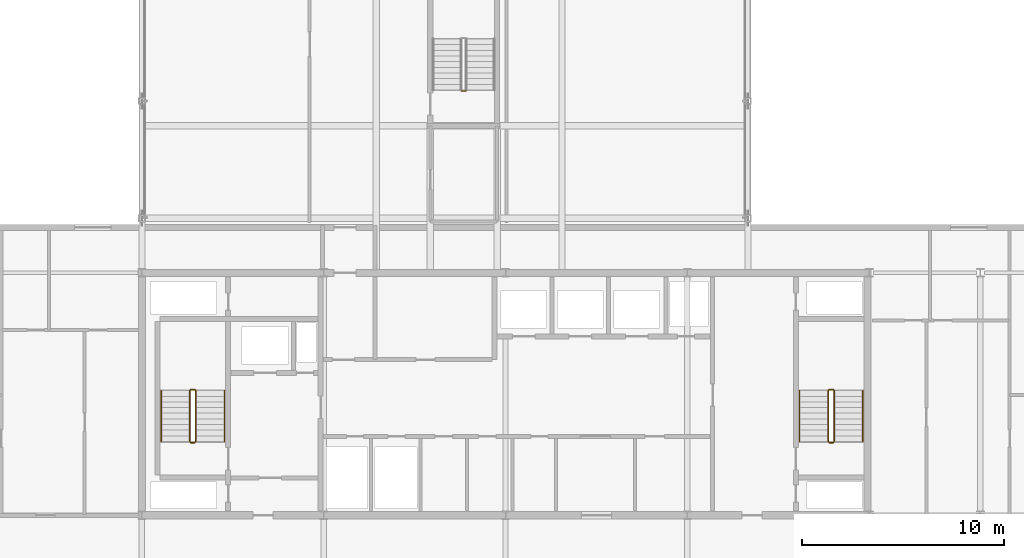
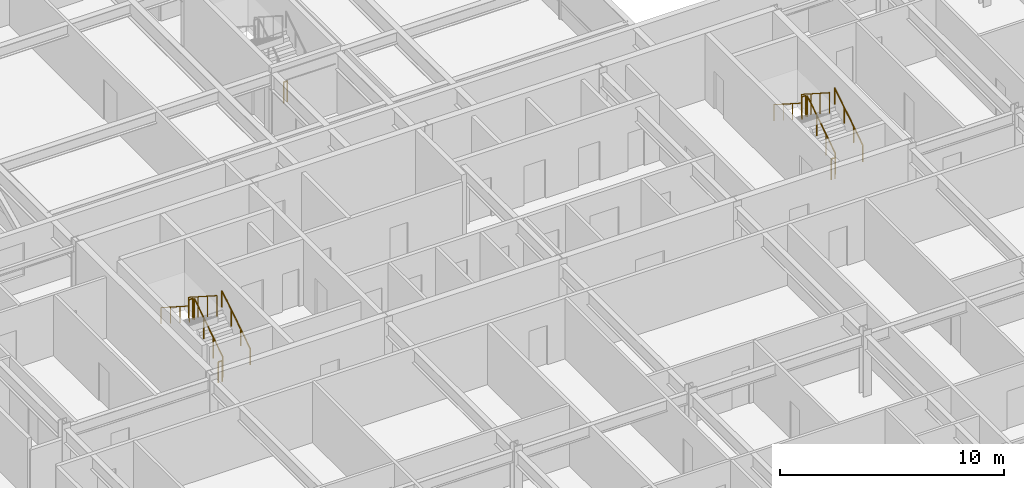
# One storey, part 32 of 36: 13 railings.
"""IFC4 building model written with IfcOpenShell, lengths in metres."""

from ifc_helpers import new_model, si_unit, direction, frame, origin, origin_2d, place, context, subcontext, project, spatial, circle, extrude, material, type_object, element, save


model = new_model("IFC4")

# Units and contexts
model_context = context("Model", 3, precision=1e-05, world=origin(), true_north=direction((0.0, 1.0)))
body_context = subcontext(model_context, "Body", "Model", "MODEL_VIEW")
ifc_project = project(units=[si_unit("LENGTHUNIT", "METRE"), si_unit("AREAUNIT", "SQUARE_METRE"), si_unit("VOLUMEUNIT", "CUBIC_METRE"), si_unit("PLANEANGLEUNIT", "RADIAN"), si_unit("MASSUNIT", "GRAM", prefix="KILO")], contexts=[model_context])

# Site, building, storey
site_placement = place(None, origin())
site = spatial("IfcSite", under=ifc_project, at=site_placement, CompositionType="ELEMENT")
building_placement = place(site_placement, origin())
building = spatial("IfcBuilding", under=site, at=building_placement, Name="Korimba Cascade Residences", CompositionType="ELEMENT")
storey_placement = place(building_placement, frame((0.0, 0.0, 146.5)))
storey = spatial("IfcBuildingStorey", under=building, at=storey_placement, Name="L42", CompositionType="ELEMENT", Elevation=146.5)

# Railings
ifc_material_1 = material(Name="Painted Steel Stairwell Guardrail", Category="steel")
railing_type_1 = type_object("IfcRailingType", Name="RLG-ST-GD1150", PredefinedType="GUARDRAIL", material=ifc_material_1)
railing_1_placement = place(storey_placement, frame((84.77001953125, 22.050048828125, 0.179931640625)))
element("IfcRailing", 1, at=railing_1_placement, inside=storey, type_object=railing_type_1, Name="L42 ST-E1 stair guard 1", PredefinedType="GUARDRAIL", context=body_context, shape_type="SweptSolid", body=[
    extrude(circle(Radius=0.02392578125, at=origin_2d()), frame((0.0, 0.0, 1.1259765625), z_axis=(0.0, 0.841162588446, 0.540782303519), x_axis=(-1.0, 0.0, 0.0)), (0.0, 0.0, 1.0), 2.995849609375),
    extrude(circle(Radius=0.02099609375, at=origin_2d()), origin(), (0.0, 0.0, 1.0), 1.101806640625),
    extrude(circle(Radius=0.02099609375, at=origin_2d()), frame((0.0, 0.840087890625, 0.5400390625)), (0.0, 0.0, 1.0), 1.101806640625),
    extrude(circle(Radius=0.02099609375, at=origin_2d()), frame((0.0, 1.679931640625, 1.080078125)), (0.0, 0.0, 1.0), 1.101806640625),
    extrude(circle(Radius=0.02099609375, at=origin_2d()), frame((0.0, 2.52001953125, 1.6201171875)), (0.0, 0.0, 1.0), 1.101806640625),
])
railing_2_placement = place(storey_placement, frame((84.719970703125, 24.6201171875, 1.800048828125)))
element("IfcRailing", 2, at=railing_2_placement, inside=storey, type_object=railing_type_1, Name="L42 ST-E1 stair guard 2", PredefinedType="GUARDRAIL", context=body_context, shape_type="SweptSolid", body=[
    extrude(circle(Radius=0.02392578125, at=origin_2d()), frame((0.0, 0.0, 1.1259765625), z_axis=(-1.0, 0.0, 0.0), x_axis=(0.0, -1.0, 0.0)), (0.0, 0.0, 1.0), 0.199951171875),
    extrude(circle(Radius=0.02099609375, at=origin_2d()), origin(), (0.0, 0.0, 1.0), 1.101806640625),
    extrude(circle(Radius=0.02099609375, at=origin_2d()), frame((-0.199951171875, 0.0, 0.0)), (0.0, 0.0, 1.0), 1.101806640625),
])
railing_3_placement = place(storey_placement, frame((84.469970703125, 24.570068359375, 1.97998046875)))
element("IfcRailing", 3, at=railing_3_placement, inside=storey, type_object=railing_type_1, Name="L42 ST-E1 stair guard 3", PredefinedType="GUARDRAIL", context=body_context, shape_type="SweptSolid", body=[
    extrude(circle(Radius=0.02392578125, at=origin_2d()), frame((0.0, 0.0, 1.1259765625), z_axis=(0.0, -0.841162588446, 0.540782303519), x_axis=(1.0, 0.0, 0.0)), (0.0, 0.0, 1.0), 2.995849609375),
    extrude(circle(Radius=0.02099609375, at=origin_2d()), origin(), (0.0, 0.0, 1.0), 1.101806640625),
    extrude(circle(Radius=0.02099609375, at=origin_2d()), frame((0.0, -0.840087890625, 0.5400390625)), (0.0, 0.0, 1.0), 1.101806640625),
    extrude(circle(Radius=0.02099609375, at=origin_2d()), frame((0.0, -1.679931640625, 1.080078125)), (0.0, 0.0, 1.0), 1.101806640625),
    extrude(circle(Radius=0.02099609375, at=origin_2d()), frame((0.0, -2.52001953125, 1.6201171875)), (0.0, 0.0, 1.0), 1.101806640625),
])
railing_4_placement = place(storey_placement, frame((84.719970703125, 22.0, 0.0)))
element("IfcRailing", 4, at=railing_4_placement, inside=storey, type_object=railing_type_1, Name="L42 ST-E1 stair guard 4", PredefinedType="GUARDRAIL", context=body_context, shape_type="SweptSolid", body=[
    extrude(circle(Radius=0.02392578125, at=origin_2d()), frame((0.0, 0.0, 1.1259765625), z_axis=(-1.0, 0.0, 0.0), x_axis=(0.0, -1.0, 0.0)), (0.0, 0.0, 1.0), 0.199951171875),
    extrude(circle(Radius=0.02099609375, at=origin_2d()), origin(), (0.0, 0.0, 1.0), 1.101806640625),
    extrude(circle(Radius=0.02099609375, at=origin_2d()), frame((-0.199951171875, 0.0, 0.0)), (0.0, 0.0, 1.0), 1.101806640625),
])
railing_5_placement = place(storey_placement, frame((116.3701171875, 22.050048828125, 0.179931640625)))
element("IfcRailing", 5, at=railing_5_placement, inside=storey, type_object=railing_type_1, Name="L42 ST-E2 stair guard 1", PredefinedType="GUARDRAIL", context=body_context, shape_type="SweptSolid", body=[
    extrude(circle(Radius=0.02392578125, at=origin_2d()), frame((0.0, 0.0, 1.1259765625), z_axis=(0.0, 0.841162588446, 0.540782303519), x_axis=(-1.0, 0.0, 0.0)), (0.0, 0.0, 1.0), 2.995849609375),
    extrude(circle(Radius=0.02099609375, at=origin_2d()), origin(), (0.0, 0.0, 1.0), 1.101806640625),
    extrude(circle(Radius=0.02099609375, at=origin_2d()), frame((0.0, 0.840087890625, 0.5400390625)), (0.0, 0.0, 1.0), 1.101806640625),
    extrude(circle(Radius=0.02099609375, at=origin_2d()), frame((0.0, 1.679931640625, 1.080078125)), (0.0, 0.0, 1.0), 1.101806640625),
    extrude(circle(Radius=0.02099609375, at=origin_2d()), frame((0.0, 2.52001953125, 1.6201171875)), (0.0, 0.0, 1.0), 1.101806640625),
])
railing_6_placement = place(storey_placement, frame((116.320068359375, 24.6201171875, 1.800048828125)))
element("IfcRailing", 6, at=railing_6_placement, inside=storey, type_object=railing_type_1, Name="L42 ST-E2 stair guard 2", PredefinedType="GUARDRAIL", context=body_context, shape_type="SweptSolid", body=[
    extrude(circle(Radius=0.02392578125, at=origin_2d()), frame((0.0, 0.0, 1.1259765625), z_axis=(-1.0, 0.0, 0.0), x_axis=(0.0, -1.0, 0.0)), (0.0, 0.0, 1.0), 0.199951171875),
    extrude(circle(Radius=0.02099609375, at=origin_2d()), origin(), (0.0, 0.0, 1.0), 1.101806640625),
    extrude(circle(Radius=0.02099609375, at=origin_2d()), frame((-0.199951171875, 0.0, 0.0)), (0.0, 0.0, 1.0), 1.101806640625),
])
railing_7_placement = place(storey_placement, frame((116.070068359375, 24.570068359375, 1.97998046875)))
element("IfcRailing", 7, at=railing_7_placement, inside=storey, type_object=railing_type_1, Name="L42 ST-E2 stair guard 3", PredefinedType="GUARDRAIL", context=body_context, shape_type="SweptSolid", body=[
    extrude(circle(Radius=0.02392578125, at=origin_2d()), frame((0.0, 0.0, 1.1259765625), z_axis=(0.0, -0.841162588446, 0.540782303519), x_axis=(1.0, 0.0, 0.0)), (0.0, 0.0, 1.0), 2.995849609375),
    extrude(circle(Radius=0.02099609375, at=origin_2d()), origin(), (0.0, 0.0, 1.0), 1.101806640625),
    extrude(circle(Radius=0.02099609375, at=origin_2d()), frame((0.0, -0.840087890625, 0.5400390625)), (0.0, 0.0, 1.0), 1.101806640625),
    extrude(circle(Radius=0.02099609375, at=origin_2d()), frame((0.0, -1.679931640625, 1.080078125)), (0.0, 0.0, 1.0), 1.101806640625),
    extrude(circle(Radius=0.02099609375, at=origin_2d()), frame((0.0, -2.52001953125, 1.6201171875)), (0.0, 0.0, 1.0), 1.101806640625),
])
for number, where, name in (
    (8, (116.320068359375, 22.0, 0.0), "L42 ST-E2 stair guard 4"),
    (9, (98.1298828125, 39.39990234375, 0.0), "L42 ST-BR1 stair guard 4"),
):
    element("IfcRailing", number, at=place(storey_placement, frame(where)), inside=storey, type_object=railing_type_1, Name=name, PredefinedType="GUARDRAIL", context=body_context, shape_type="SweptSolid", body=[
        extrude(circle(Radius=0.02392578125, at=origin_2d()), frame((0.0, 0.0, 1.1259765625), z_axis=(-1.0, 0.0, 0.0), x_axis=(0.0, -1.0, 0.0)), (0.0, 0.0, 1.0), 0.199951171875),
        extrude(circle(Radius=0.02099609375, at=origin_2d()), origin(), (0.0, 0.0, 1.0), 1.101806640625),
        extrude(circle(Radius=0.02099609375, at=origin_2d()), frame((-0.199951171875, 0.0, 0.0)), (0.0, 0.0, 1.0), 1.101806640625),
    ])
ifc_material_2 = material(Name="Brushed Stainless Steel Handrail", Category="steel")
railing_type_2 = type_object("IfcRailingType", Name="RLG-ST-HR900", PredefinedType="HANDRAIL", material=ifc_material_2)
railing_8_placement = place(storey_placement, frame((86.18994140625, 22.050048828125, 0.36376953125)))
element("IfcRailing", 10, at=railing_8_placement, inside=storey, type_object=railing_type_2, Name="L42 ST-E1 stair handrail 1", PredefinedType="HANDRAIL", context=body_context, shape_type="SweptSolid", body=[
    extrude(circle(Radius=0.02392578125, at=origin_2d()), frame((0.0, 0.0, 0.8759765625), z_axis=(0.0, 0.841162588446, 0.540782303519), x_axis=(-1.0, 0.0, 0.0)), (0.0, 0.0, 1.0), 2.995849609375),
    extrude(circle(Radius=0.02099609375, at=origin_2d()), origin(), (0.0, 0.0, 1.0), 0.851806640625),
    extrude(circle(Radius=0.02099609375, at=origin_2d()), frame((0.0, 0.840087890625, 0.5400390625)), (0.0, 0.0, 1.0), 0.851806640625),
    extrude(circle(Radius=0.02099609375, at=origin_2d()), frame((0.0, 1.679931640625, 1.080078125)), (0.0, 0.0, 1.0), 0.851806640625),
    extrude(circle(Radius=0.02099609375, at=origin_2d()), frame((0.0, 2.52001953125, 1.6201171875)), (0.0, 0.0, 1.0), 0.851806640625),
])
railing_9_placement = place(storey_placement, frame((83.050048828125, 24.570068359375, 2.163818359375)))
element("IfcRailing", 11, at=railing_9_placement, inside=storey, type_object=railing_type_2, Name="L42 ST-E1 stair handrail 2", PredefinedType="HANDRAIL", context=body_context, shape_type="SweptSolid", body=[
    extrude(circle(Radius=0.02392578125, at=origin_2d()), frame((0.0, 0.0, 0.8759765625), z_axis=(0.0, -0.841199657755, 0.540724639528), x_axis=(1.0, 0.0, 0.0)), (0.0, 0.0, 1.0), 2.995849609375),
    extrude(circle(Radius=0.02099609375, at=origin_2d()), origin(), (0.0, 0.0, 1.0), 0.851806640625),
    extrude(circle(Radius=0.02099609375, at=origin_2d()), frame((0.0, -0.840087890625, 0.5400390625)), (0.0, 0.0, 1.0), 0.851806640625),
    extrude(circle(Radius=0.02099609375, at=origin_2d()), frame((0.0, -1.679931640625, 1.079833984375)), (0.0, 0.0, 1.0), 0.851806640625),
    extrude(circle(Radius=0.02099609375, at=origin_2d()), frame((0.0, -2.52001953125, 1.619873046875)), (0.0, 0.0, 1.0), 0.851806640625),
])
railing_10_placement = place(storey_placement, frame((117.7900390625, 22.050048828125, 0.36376953125)))
element("IfcRailing", 12, at=railing_10_placement, inside=storey, type_object=railing_type_2, Name="L42 ST-E2 stair handrail 1", PredefinedType="HANDRAIL", context=body_context, shape_type="SweptSolid", body=[
    extrude(circle(Radius=0.02392578125, at=origin_2d()), frame((0.0, 0.0, 0.8759765625), z_axis=(0.0, 0.841162588446, 0.540782303519), x_axis=(-1.0, 0.0, 0.0)), (0.0, 0.0, 1.0), 2.995849609375),
    extrude(circle(Radius=0.02099609375, at=origin_2d()), origin(), (0.0, 0.0, 1.0), 0.851806640625),
    extrude(circle(Radius=0.02099609375, at=origin_2d()), frame((0.0, 0.840087890625, 0.5400390625)), (0.0, 0.0, 1.0), 0.851806640625),
    extrude(circle(Radius=0.02099609375, at=origin_2d()), frame((0.0, 1.679931640625, 1.080078125)), (0.0, 0.0, 1.0), 0.851806640625),
    extrude(circle(Radius=0.02099609375, at=origin_2d()), frame((0.0, 2.52001953125, 1.6201171875)), (0.0, 0.0, 1.0), 0.851806640625),
])
railing_11_placement = place(storey_placement, frame((114.64990234375, 24.570068359375, 2.163818359375)))
element("IfcRailing", 13, at=railing_11_placement, inside=storey, type_object=railing_type_2, Name="L42 ST-E2 stair handrail 2", PredefinedType="HANDRAIL", context=body_context, shape_type="SweptSolid", body=[
    extrude(circle(Radius=0.02392578125, at=origin_2d()), frame((0.0, 0.0, 0.8759765625), z_axis=(0.0, -0.841199657755, 0.540724639528), x_axis=(1.0, 0.0, 0.0)), (0.0, 0.0, 1.0), 2.995849609375),
    extrude(circle(Radius=0.02099609375, at=origin_2d()), origin(), (0.0, 0.0, 1.0), 0.851806640625),
    extrude(circle(Radius=0.02099609375, at=origin_2d()), frame((0.0, -0.840087890625, 0.5400390625)), (0.0, 0.0, 1.0), 0.851806640625),
    extrude(circle(Radius=0.02099609375, at=origin_2d()), frame((0.0, -1.679931640625, 1.079833984375)), (0.0, 0.0, 1.0), 0.851806640625),
    extrude(circle(Radius=0.02099609375, at=origin_2d()), frame((0.0, -2.52001953125, 1.619873046875)), (0.0, 0.0, 1.0), 0.851806640625),
])

save(model, "model.ifc")
